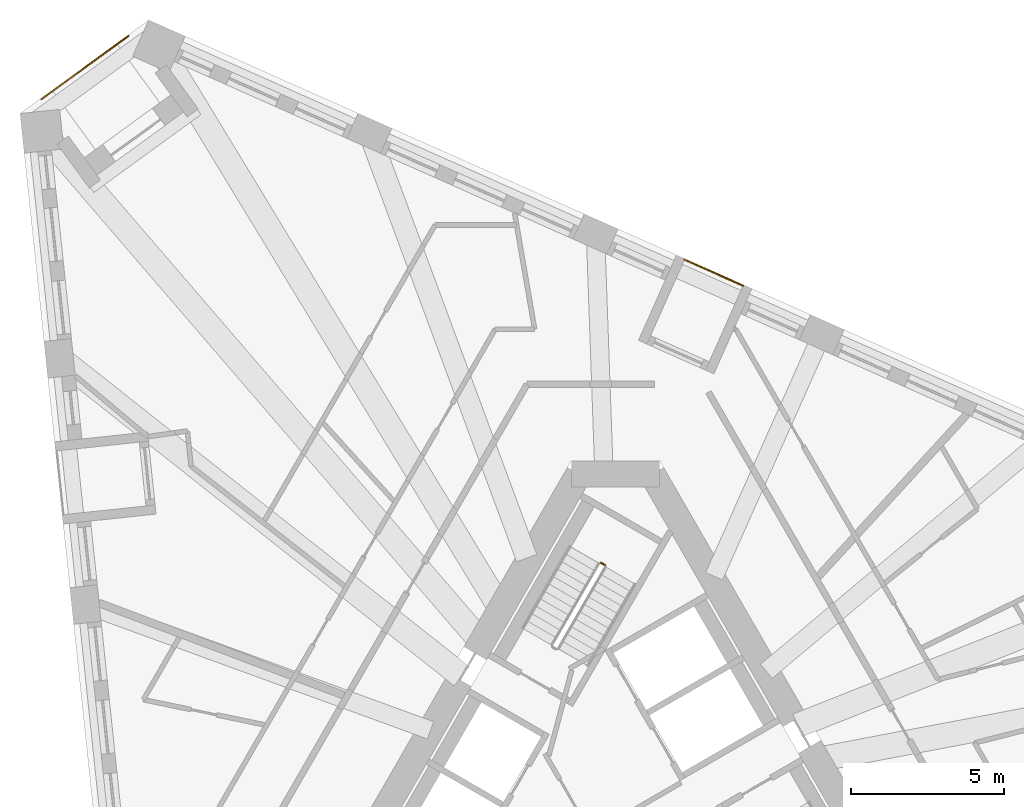
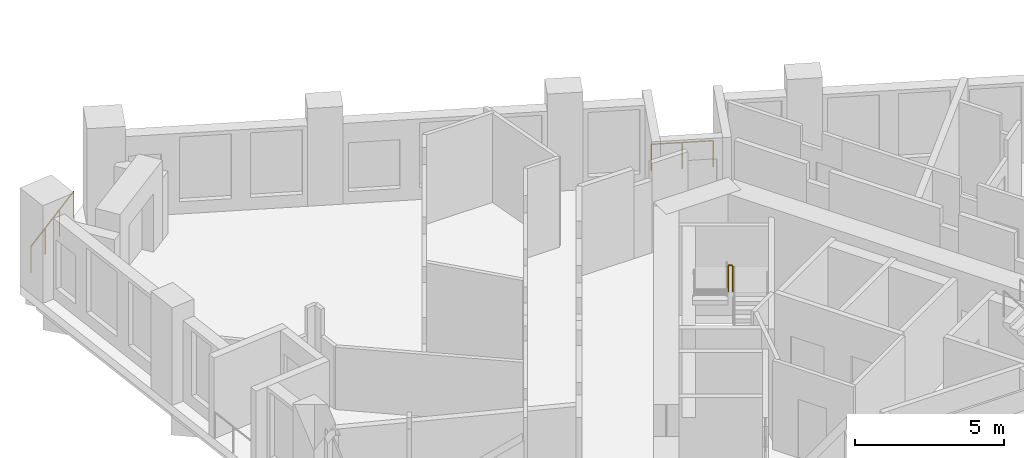
# One storey, part 13 of 14: 3 railings.
"""IFC4 building model written with IfcOpenShell, lengths in metres."""

import ifcopenshell
import ifcopenshell.guid

model = None  # the IFC model being written
_history = None  # IfcOwnerHistory: only IFC2X3 demands one
_inside = {}  # id of a spatial element -> (the spatial element, [elements in it])
_under = {}  # id of a project, library or spatial element -> (it, [spatial elements below it])
_declared = {}  # id of a project -> (the project, [libraries it declares])
_typed = {}  # id of a type object -> (the type object, [elements of that type])
_made_of = {}  # id of a material, layer set ... -> (it, [elements and type objects made of it])


def new_model(schema):
    """Start an empty IFC model of exactly this schema.

    Asked for "IFC4X3", IfcOpenShell would pick the latest addendum, in which some entities
    have other attributes; the version numbers below select the first issue.
    IFC2X3 requires an IfcOwnerHistory on every rooted entity: one is made here for all.
    """
    global model, _history
    if schema == "IFC4X3":
        model = ifcopenshell.file(schema_version=(4, 3, 0, 0))
    else:
        model = ifcopenshell.file(schema=schema)
    _inside.clear()
    _under.clear()
    _declared.clear()
    _typed.clear()
    _made_of.clear()
    _history = None
    if model.schema == "IFC2X3":
        org = make("IfcOrganization", Name="unknown")
        user = make(
            "IfcPersonAndOrganization",
            ThePerson=make("IfcPerson", FamilyName="unknown"),
            TheOrganization=org,
        )
        app = make(
            "IfcApplication",
            ApplicationDeveloper=org,
            Version="unknown",
            ApplicationFullName="unknown",
            ApplicationIdentifier="unknown",
        )
        _history = make(
            "IfcOwnerHistory",
            OwningUser=user,
            OwningApplication=app,
            ChangeAction="ADDED",
            CreationDate=0,
        )
    return model


def make(cls, **values):
    """One entity of the class cls with the attributes given. An attribute that is None is left unset."""
    return model.create_entity(
        cls, **{name: value for name, value in values.items() if value is not None}
    )


def rooted(cls, **values):
    """An entity with a GlobalId (a new one), such as an element, a storey or a relation."""
    return make(cls, GlobalId=ifcopenshell.guid.new(), OwnerHistory=_history, **values)


def si_unit(unit_type, name, prefix=None):
    """IfcSIUnit, for example si_unit("LENGTHUNIT", "METRE", prefix="MILLI")."""
    return make("IfcSIUnit", UnitType=unit_type, Prefix=prefix, Name=name)


def assignment(units):
    """IfcUnitAssignment: the units of a project."""
    return None if units is None else make("IfcUnitAssignment", Units=units)


def point(xyz):
    """IfcCartesianPoint."""
    return None if xyz is None else make("IfcCartesianPoint", Coordinates=xyz)


def direction(xyz):
    """IfcDirection."""
    return None if xyz is None else make("IfcDirection", DirectionRatios=xyz)


def frame(location, z_axis=None, x_axis=None):
    """IfcAxis2Placement3D, a coordinate frame: its origin and axes. An axis left out is left unset."""
    return make(
        "IfcAxis2Placement3D",
        Location=point(location),
        Axis=direction(z_axis),
        RefDirection=direction(x_axis),
    )


def frame_2d(location, x_axis=None):
    """IfcAxis2Placement2D, a coordinate frame in the plane: its origin and x axis."""
    return make(
        "IfcAxis2Placement2D", Location=point(location), RefDirection=direction(x_axis)
    )


def origin():
    """The frame at (0, 0, 0) with its axes left unset."""
    return frame((0.0, 0.0, 0.0))


def origin_2d():
    """The frame at (0, 0) in the plane with its x axis left unset."""
    return frame_2d((0.0, 0.0))


def place(relative_to, where):
    """IfcLocalPlacement: puts the frame where relative to a parent placement (None: the world)."""
    return make(
        "IfcLocalPlacement", PlacementRelTo=relative_to, RelativePlacement=where
    )


def context(
    kind, dimensions, precision=None, world=None, true_north=None, identifier=None
):
    """IfcGeometricRepresentationContext, for example the 3D "Model" context."""
    return make(
        "IfcGeometricRepresentationContext",
        ContextIdentifier=identifier,
        ContextType=kind,
        CoordinateSpaceDimension=dimensions,
        Precision=precision,
        WorldCoordinateSystem=world,
        TrueNorth=true_north,
    )


def subcontext(parent, identifier, kind, view, scale=None):
    """IfcGeometricRepresentationSubContext, for example "Body" below "Model"."""
    return make(
        "IfcGeometricRepresentationSubContext",
        ContextIdentifier=identifier,
        ContextType=kind,
        ParentContext=parent,
        TargetScale=scale,
        TargetView=view,
    )


def project(units=None, contexts=None):
    """IfcProject with its units and contexts."""
    return rooted(
        "IfcProject",
        Name="project",
        RepresentationContexts=contexts,
        UnitsInContext=assignment(units),
    )


def spatial(cls, under=None, at=None, **own):
    """A site, building, storey or space (cls), placed at a placement, below another one or the project."""
    s = rooted(cls, ObjectPlacement=at, **own)
    if under is not None:
        _under.setdefault(under.id(), (under, []))[1].append(s)
    return s


def profile(cls, at=None, kind="AREA", **sizes):
    """A parametric profile (cls). Its sizes go by their IFC names, for example OverallWidth=200.0."""
    return make(cls, ProfileType=kind, Position=at, **sizes)


def circle(**sizes):
    """IfcCircleProfileDef."""
    return profile("IfcCircleProfileDef", **sizes)


def extrude(swept, where, along, depth):
    """IfcExtrudedAreaSolid: the profile swept, set in the frame where, extruded along a direction by depth."""
    return make(
        "IfcExtrudedAreaSolid",
        SweptArea=swept,
        Position=where,
        ExtrudedDirection=direction(along),
        Depth=depth,
    )


def shape(context_of_items, identifier, shape_type, items):
    """IfcShapeRepresentation: the items that make up one representation, for example the "Body"."""
    return make(
        "IfcShapeRepresentation",
        ContextOfItems=context_of_items,
        RepresentationIdentifier=identifier,
        RepresentationType=shape_type,
        Items=items,
    )


def material(Name=None, Category=None):
    """IfcMaterial."""
    return make("IfcMaterial", Name=Name, Category=Category)


def made_of(thing, what):
    """Note that an element or type object is made of a material, layer set ...; save() writes the relation."""
    if what is not None:
        _made_of.setdefault(what.id(), (what, []))[1].append(thing)
    return thing


def type_object(cls, material=None, **own):
    """A type object (cls), such as IfcWallType, which elements share."""
    return made_of(rooted(cls, **own), material)


def element(
    cls,
    number,
    at=None,
    inside=None,
    cuts=None,
    type_object=None,
    material=None,
    context=None,
    identifier="Body",
    shape_type=None,
    held_by="IfcProductDefinitionShape",
    body=None,
    shapes=None,
    **own,
):
    """One element of the class cls, such as IfcWall. Its Tag is "e" and its number.

    at: its placement. inside: the storey or other place that contains it. cuts: it is an
    opening in that element (IfcRelVoidsElement). A single representation is given by context,
    identifier, shape_type and body (its items); several are given by shapes. held_by: the class
    of the entity that holds the representations. save() writes the other relations.
    """
    e = rooted(cls, Tag="e%d" % number, ObjectPlacement=at, **own)
    if body is not None:
        shapes = [shape(context, identifier, shape_type, body)]
    if shapes is not None:
        e.Representation = make(held_by, Representations=shapes)
    if inside is not None:
        _inside.setdefault(inside.id(), (inside, []))[1].append(e)
    if cuts is not None:
        rooted(
            "IfcRelVoidsElement", RelatingBuildingElement=cuts, RelatedOpeningElement=e
        )
    if type_object is not None:
        _typed.setdefault(type_object.id(), (type_object, []))[1].append(e)
    return made_of(e, material)


def aggregate(whole, parts):
    """IfcRelAggregates: a whole, such as a stair, and the parts it consists of."""
    return rooted("IfcRelAggregates", RelatingObject=whole, RelatedObjects=parts)


def save(model, path):
    """Write the relations noted so far, then the file.

    IfcRelAggregates (storeys below a building ...), IfcRelContainedInSpatialStructure (elements
    in a storey), IfcRelDefinesByType, IfcRelAssociatesMaterial and IfcRelDeclares: one each for
    every whole, place, type object, material and project.
    """
    for whole, parts in _under.values():
        aggregate(whole, parts)
    for where, things in _inside.values():
        rooted(
            "IfcRelContainedInSpatialStructure",
            RelatedElements=things,
            RelatingStructure=where,
        )
    for kind, things in _typed.values():
        rooted("IfcRelDefinesByType", RelatedObjects=things, RelatingType=kind)
    for what, things in _made_of.values():
        rooted("IfcRelAssociatesMaterial", RelatedObjects=things, RelatingMaterial=what)
    for by, libraries in _declared.values():
        rooted("IfcRelDeclares", RelatingContext=by, RelatedDefinitions=libraries)
    model.write(path)


model = new_model("IFC4")

# Units and contexts
model_context = context("Model", 3, precision=1e-05, world=origin(), true_north=direction((0.0, 1.0)))
body_context = subcontext(model_context, "Body", "Model", "MODEL_VIEW")
ifc_project = project(units=[si_unit("LENGTHUNIT", "METRE"), si_unit("AREAUNIT", "SQUARE_METRE"), si_unit("VOLUMEUNIT", "CUBIC_METRE"), si_unit("PLANEANGLEUNIT", "RADIAN"), si_unit("MASSUNIT", "GRAM", prefix="KILO")], contexts=[model_context])

# Site, building, storey
site_placement = place(None, origin())
site = spatial("IfcSite", under=ifc_project, at=site_placement, CompositionType="ELEMENT")
building_placement = place(site_placement, origin())
building = spatial("IfcBuilding", under=site, at=building_placement, Name="Tramontana Tower", CompositionType="ELEMENT")
storey_placement = place(building_placement, frame((0.0, 0.0, 190.800048828125)))
storey = spatial("IfcBuildingStorey", under=building, at=storey_placement, Name="L44", CompositionType="ELEMENT", Elevation=190.800048828125)

# Railings
ifc_material_1 = material(Name="Laminated glass balustrade", Category="glass")
railing_type_1 = type_object("IfcRailingType", Name="GD1 Loggia glass balustrade 1100", PredefinedType="BALUSTRADE", material=ifc_material_1)
railing_1_placement = place(storey_placement, frame((4.1669921875, 16.720703125, 0.0)))
element("IfcRailing", 1, at=railing_1_placement, inside=storey, type_object=railing_type_1, Name="Loggia balustrade L44 G4S2.10", PredefinedType="BALUSTRADE", context=body_context, shape_type="SweptSolid", body=[
    extrude(circle(Radius=0.02392578125, at=origin_2d()), frame((0.0, 0.0, 1.076171875), z_axis=(-0.913556597974, 0.40671162056, 0.0), x_axis=(-0.40671162056, -0.913556597974, 0.0)), (0.0, 0.0, 1.0), 2.094482421875),
    extrude(circle(Radius=0.02099609375, at=origin_2d()), origin(), (0.0, 0.0, 1.0), 1.052001953125),
    extrude(circle(Radius=0.02099609375, at=origin_2d()), frame((-0.95654296875, 0.42578125, 0.0)), (0.0, 0.0, 1.0), 1.052001953125),
    extrude(circle(Radius=0.02099609375, at=origin_2d()), frame((-1.913330078125, 0.851806640625, 0.0)), (0.0, 0.0, 1.0), 1.052001953125),
])
railing_2_placement = place(storey_placement, frame((-18.73779296875, 22.81298828125, 0.0)))
element("IfcRailing", 2, at=railing_2_placement, inside=storey, type_object=railing_type_1, Name="Corner loggia balustrade L44 K40", PredefinedType="BALUSTRADE", context=body_context, shape_type="SweptSolid", body=[
    extrude(circle(Radius=0.02392578125, at=origin_2d()), frame((0.0, 0.0, 1.076171875), z_axis=(0.808998426921, 0.587810807352, 0.0), x_axis=(-0.587810807352, 0.808998426921, 0.0)), (0.0, 0.0, 1.0), 3.5),
    extrude(circle(Radius=0.02099609375, at=origin_2d()), origin(), (0.0, 0.0, 1.0), 1.052001953125),
    extrude(circle(Radius=0.02099609375, at=origin_2d()), frame((0.94384765625, 0.685791015625, 0.0)), (0.0, 0.0, 1.0), 1.052001953125),
    extrude(circle(Radius=0.02099609375, at=origin_2d()), frame((1.8876953125, 1.37158203125, 0.0)), (0.0, 0.0, 1.0), 1.052001953125),
    extrude(circle(Radius=0.02099609375, at=origin_2d()), frame((2.83154296875, 2.057373046875, 0.0)), (0.0, 0.0, 1.0), 1.052001953125),
])
ifc_material_2 = material(Name="Painted steel", Category="steel")
railing_type_2 = type_object("IfcRailingType", Name="STAIR GUARD 1100", PredefinedType="GUARDRAIL", material=ifc_material_2)
railing_3_placement = place(storey_placement, frame((-0.345703125, 7.601318359375, 2.0)))
element("IfcRailing", 3, at=railing_3_placement, inside=storey, type_object=railing_type_2, Name="L44 ST1 stair guard 3", PredefinedType="GUARDRAIL", context=body_context, shape_type="SweptSolid", body=[
    extrude(circle(Radius=0.02392578125, at=origin_2d()), frame((0.0, 0.0, 1.076171875), z_axis=(-0.866131372301, 0.499816412211, 0.0), x_axis=(-0.499816412211, -0.866131372301, 0.0)), (0.0, 0.0, 1.0), 0.14990234375),
    extrude(circle(Radius=0.02099609375, at=origin_2d()), origin(), (0.0, 0.0, 1.0), 1.052001953125),
    extrude(circle(Radius=0.02099609375, at=origin_2d()), frame((-0.1298828125, 0.074951171875, 0.0)), (0.0, 0.0, 1.0), 1.052001953125),
])

save(model, "model.ifc")
